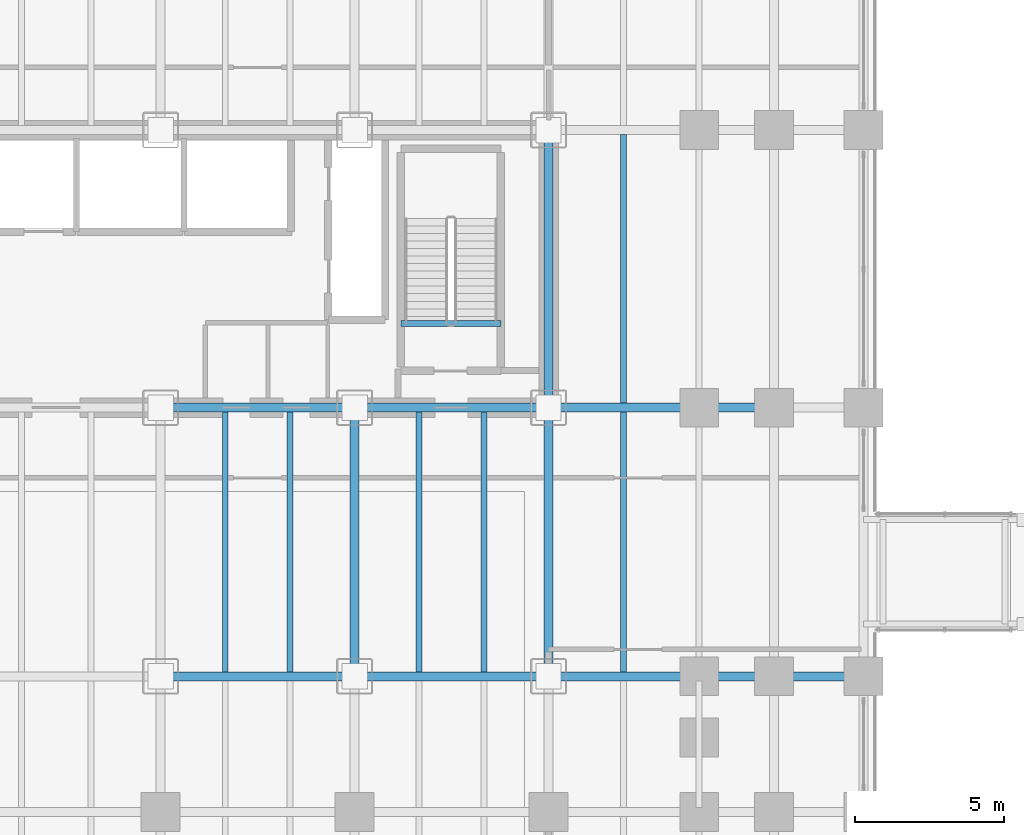
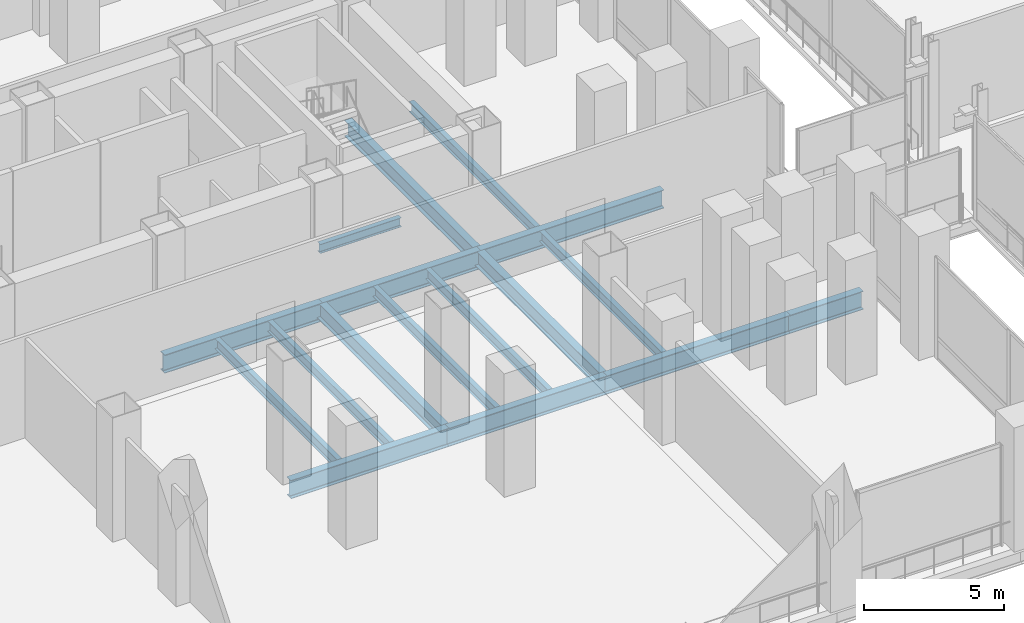
# One storey, part 13 of 31: 17 beams.
"""IFC4 building model written with IfcOpenShell, lengths in metres."""

from ifc_helpers import new_model, si_unit, direction, frame, origin, origin_2d, place, context, subcontext, project, spatial, i_section, extrude, material, material_profile, profile_set, type_object, element, save


model = new_model("IFC4")

# Units and contexts
model_context = context("Model", 3, precision=1e-05, world=origin(), true_north=direction((0.0, 1.0)))
body_context = subcontext(model_context, "Body", "Model", "MODEL_VIEW")
ifc_project = project(units=[si_unit("LENGTHUNIT", "METRE"), si_unit("AREAUNIT", "SQUARE_METRE"), si_unit("VOLUMEUNIT", "CUBIC_METRE"), si_unit("PLANEANGLEUNIT", "RADIAN"), si_unit("MASSUNIT", "GRAM", prefix="KILO")], contexts=[model_context])

# Site, building, storey
site_placement = place(None, origin())
site = spatial("IfcSite", under=ifc_project, at=site_placement, CompositionType="ELEMENT")
building_placement = place(site_placement, origin())
building = spatial("IfcBuilding", under=site, at=building_placement, Name="Noeulbin Bourse Tower", CompositionType="ELEMENT")
storey_placement = place(building_placement, frame((0.0, 0.0, 11.199951171875)))
storey = spatial("IfcBuildingStorey", under=building, at=storey_placement, Name="L03", CompositionType="ELEMENT", Elevation=11.199951171875)

# Beams
ifc_material = material(Name="Steel S355", Category="steel")
ifc_material_profile_1 = material_profile(ifc_material, i_section(OverallWidth=0.300048828125, OverallDepth=0.699951171875, WebThickness=0.012939453125, FlangeThickness=0.02392578125, FilletRadius=0.02392578125, at=origin_2d()), Name="H-700x300x13x24", Category="LoadBearing")
ifc_profile_set_1 = profile_set([ifc_material_profile_1], Name="Steel S355")
beam_type_1 = type_object("IfcBeamType", Name="BM-GRD-700", PredefinedType="USERDEFINED", material=ifc_profile_set_1)
for number, where, z_axis, x_axis, name in (
    (1, (37.5, 20.0, -0.599853515625), (0.0, 1.0, 0.0), (-1.0, 0.0, 0.0), "Podium Primary Girder NS L03-087"),
    (2, (44.0, 20.0, -0.599853515625), (0.0, 1.0, 0.0), (-1.0, 0.0, 0.0), "Podium Primary Girder NS L03-092"),
):
    element("IfcBeam", number, at=place(storey_placement, frame(where, z_axis=z_axis, x_axis=x_axis)), inside=storey, type_object=beam_type_1, Name=name, ObjectType="GIRDER", PredefinedType="USERDEFINED", context=body_context, shape_type="SweptSolid", body=[
        extrude(i_section(OverallWidth=0.300048828125, OverallDepth=0.699951171875, WebThickness=0.012939453125, FlangeThickness=0.02392578125, FilletRadius=0.02392578125, at=origin_2d()), origin(), (0.0, 0.0, 1.0), 9.0),
    ])
beam_1_placement = place(storey_placement, frame((44.0, 29.0, -0.599853515625), z_axis=(0.0, 1.0, 0.0), x_axis=(-1.0, 0.0, 0.0)))
element("IfcBeam", 3, at=beam_1_placement, inside=storey, type_object=beam_type_1, Name="Podium Primary Girder NS L03-093", ObjectType="GIRDER", PredefinedType="USERDEFINED", context=body_context, shape_type="SweptSolid", body=[
    extrude(i_section(OverallWidth=0.300048828125, OverallDepth=0.699951171875, WebThickness=0.012939453125, FlangeThickness=0.02392578125, FilletRadius=0.02392578125, at=origin_2d()), origin(), (0.0, 0.0, 1.0), 9.300048828125),
])
ifc_material_profile_2 = material_profile(ifc_material, i_section(OverallWidth=0.300048828125, OverallDepth=0.800048828125, WebThickness=0.013916015625, FlangeThickness=0.02587890625, FilletRadius=0.02587890625, at=origin_2d()), Name="H-800x300x14x26", Category="LoadBearing")
ifc_profile_set_2 = profile_set([ifc_material_profile_2], Name="Steel S355")
beam_type_2 = type_object("IfcBeamType", Name="BM-GRD-800", PredefinedType="USERDEFINED", material=ifc_profile_set_2)
for number, where, z_axis, x_axis, name in (
    (4, (31.0, 20.0, -0.64990234375), (1.0, 0.0, 0.0), (0.0, 1.0, 0.0), "Podium Primary Girder EW L03-021"),
    (5, (37.5, 20.0, -0.64990234375), (1.0, 0.0, 0.0), (0.0, 1.0, 0.0), "Podium Primary Girder EW L03-022"),
):
    element("IfcBeam", number, at=place(storey_placement, frame(where, z_axis=z_axis, x_axis=x_axis)), inside=storey, type_object=beam_type_2, Name=name, ObjectType="GIRDER", PredefinedType="USERDEFINED", context=body_context, shape_type="SweptSolid", body=[
        extrude(i_section(OverallWidth=0.300048828125, OverallDepth=0.800048828125, WebThickness=0.013916015625, FlangeThickness=0.02587890625, FilletRadius=0.02587890625, at=origin_2d()), origin(), (0.0, 0.0, 1.0), 6.5),
    ])
beam_2_placement = place(storey_placement, frame((44.0, 20.0, -0.64990234375), z_axis=(1.0, 0.0, 0.0), x_axis=(0.0, 1.0, 0.0)))
element("IfcBeam", 6, at=beam_2_placement, inside=storey, type_object=beam_type_2, Name="Podium Primary Girder EW L03-023", ObjectType="GIRDER", PredefinedType="USERDEFINED", context=body_context, shape_type="SweptSolid", body=[
    extrude(i_section(OverallWidth=0.300048828125, OverallDepth=0.800048828125, WebThickness=0.013916015625, FlangeThickness=0.02587890625, FilletRadius=0.02587890625, at=origin_2d()), origin(), (0.0, 0.0, 1.0), 7.550048828125),
])
beam_3_placement = place(storey_placement, frame((51.550048828125, 20.0, -0.64990234375), z_axis=(1.0, 0.0, 0.0), x_axis=(0.0, 1.0, 0.0)))
element("IfcBeam", 7, at=beam_3_placement, inside=storey, type_object=beam_type_2, Name="Podium Primary Girder EW L03-024", ObjectType="GIRDER", PredefinedType="USERDEFINED", context=body_context, shape_type="SweptSolid", body=[
    extrude(i_section(OverallWidth=0.300048828125, OverallDepth=0.800048828125, WebThickness=0.013916015625, FlangeThickness=0.02587890625, FilletRadius=0.02587890625, at=origin_2d()), origin(), (0.0, 0.0, 1.0), 3.0),
])
for number, where, z_axis, x_axis, name in (
    (8, (31.0, 29.0, -0.64990234375), (1.0, 0.0, 0.0), (0.0, 1.0, 0.0), "Podium Primary Girder EW L03-029"),
    (9, (37.5, 29.0, -0.64990234375), (1.0, 0.0, 0.0), (0.0, 1.0, 0.0), "Podium Primary Girder EW L03-030"),
):
    element("IfcBeam", number, at=place(storey_placement, frame(where, z_axis=z_axis, x_axis=x_axis)), inside=storey, type_object=beam_type_2, Name=name, ObjectType="GIRDER", PredefinedType="USERDEFINED", context=body_context, shape_type="SweptSolid", body=[
        extrude(i_section(OverallWidth=0.300048828125, OverallDepth=0.800048828125, WebThickness=0.013916015625, FlangeThickness=0.02587890625, FilletRadius=0.02587890625, at=origin_2d()), origin(), (0.0, 0.0, 1.0), 6.5),
    ])
beam_4_placement = place(storey_placement, frame((44.0, 29.0, -0.64990234375), z_axis=(1.0, 0.0, 0.0), x_axis=(0.0, 1.0, 0.0)))
element("IfcBeam", 10, at=beam_4_placement, inside=storey, type_object=beam_type_2, Name="Podium Primary Girder EW L03-031", ObjectType="GIRDER", PredefinedType="USERDEFINED", context=body_context, shape_type="SweptSolid", body=[
    extrude(i_section(OverallWidth=0.300048828125, OverallDepth=0.800048828125, WebThickness=0.013916015625, FlangeThickness=0.02587890625, FilletRadius=0.02587890625, at=origin_2d()), origin(), (0.0, 0.0, 1.0), 7.550048828125),
])
ifc_material_profile_3 = material_profile(ifc_material, i_section(OverallWidth=0.199951171875, OverallDepth=0.39990234375, WebThickness=0.008056640625, FlangeThickness=0.012939453125, FilletRadius=0.01611328125, at=origin_2d()), Name="H-400x200x8x13", Category="LoadBearing")
ifc_profile_set_3 = profile_set([ifc_material_profile_3], Name="Steel S355")
beam_type_3 = type_object("IfcBeamType", Name="BM-SEC-400", PredefinedType="BEAM", material=ifc_profile_set_3)
beam_5_placement = place(storey_placement, frame((39.06005859375, 31.820068359375, -0.199951171875), z_axis=(1.0, 0.0, 0.0), x_axis=(0.0, 1.0, 0.0)))
element("IfcBeam", 11, at=beam_5_placement, inside=storey, type_object=beam_type_3, Name="Stair Threshold Trimmer Beam ST2-L03", PredefinedType="BEAM", context=body_context, shape_type="SweptSolid", body=[
    extrude(i_section(OverallWidth=0.199951171875, OverallDepth=0.39990234375, WebThickness=0.008056640625, FlangeThickness=0.012939453125, FilletRadius=0.01611328125, at=origin_2d()), origin(), (0.0, 0.0, 1.0), 3.33984375),
])
ifc_material_profile_4 = material_profile(ifc_material, i_section(OverallWidth=0.199951171875, OverallDepth=0.449951171875, WebThickness=0.009033203125, FlangeThickness=0.013916015625, FilletRadius=0.01806640625, at=origin_2d()), Name="H-450x200x9x14", Category="LoadBearing")
ifc_profile_set_4 = profile_set([ifc_material_profile_4], Name="Steel S355")
beam_type_4 = type_object("IfcBeamType", Name="BM-SEC-450", PredefinedType="BEAM", material=ifc_profile_set_4)
for number, where, z_axis, x_axis, name in (
    (12, (33.166748046875, 20.14990234375, -0.474853515625), (0.0, 1.0, 0.0), (-1.0, 0.0, 0.0), "Podium Secondary Beam L03-055"),
    (13, (35.333251953125, 20.14990234375, -0.474853515625), (0.0, 1.0, 0.0), (-1.0, 0.0, 0.0), "Podium Secondary Beam L03-060"),
    (14, (39.666748046875, 20.14990234375, -0.474853515625), (0.0, 1.0, 0.0), (-1.0, 0.0, 0.0), "Podium Secondary Beam L03-065"),
    (15, (41.833251953125, 20.14990234375, -0.474853515625), (0.0, 1.0, 0.0), (-1.0, 0.0, 0.0), "Podium Secondary Beam L03-070"),
    (16, (46.5166015625, 20.14990234375, -0.474853515625), (0.0, 1.0, 0.0), (-1.0, 0.0, 0.0), "Podium Secondary Beam L03-075"),
):
    element("IfcBeam", number, at=place(storey_placement, frame(where, z_axis=z_axis, x_axis=x_axis)), inside=storey, type_object=beam_type_4, Name=name, PredefinedType="BEAM", context=body_context, shape_type="SweptSolid", body=[
        extrude(i_section(OverallWidth=0.199951171875, OverallDepth=0.449951171875, WebThickness=0.009033203125, FlangeThickness=0.013916015625, FilletRadius=0.01806640625, at=origin_2d()), origin(), (0.0, 0.0, 1.0), 8.7001953125),
    ])
beam_6_placement = place(storey_placement, frame((46.5166015625, 29.14990234375, -0.474853515625), z_axis=(0.0, 1.0, 0.0), x_axis=(-1.0, 0.0, 0.0)))
element("IfcBeam", 17, at=beam_6_placement, inside=storey, type_object=beam_type_4, Name="Podium Secondary Beam L03-076", PredefinedType="BEAM", context=body_context, shape_type="SweptSolid", body=[
    extrude(i_section(OverallWidth=0.199951171875, OverallDepth=0.449951171875, WebThickness=0.009033203125, FlangeThickness=0.013916015625, FilletRadius=0.01806640625, at=origin_2d()), origin(), (0.0, 0.0, 1.0), 9.0),
])

save(model, "model.ifc")
